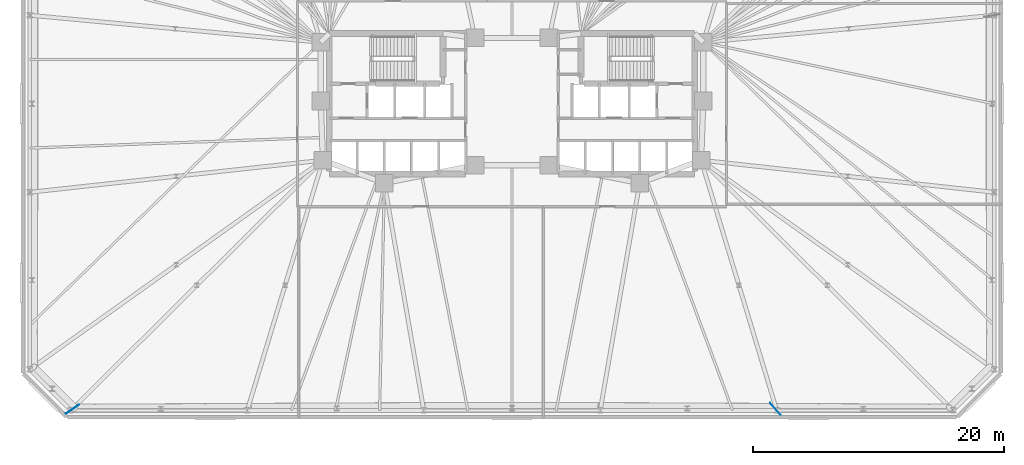
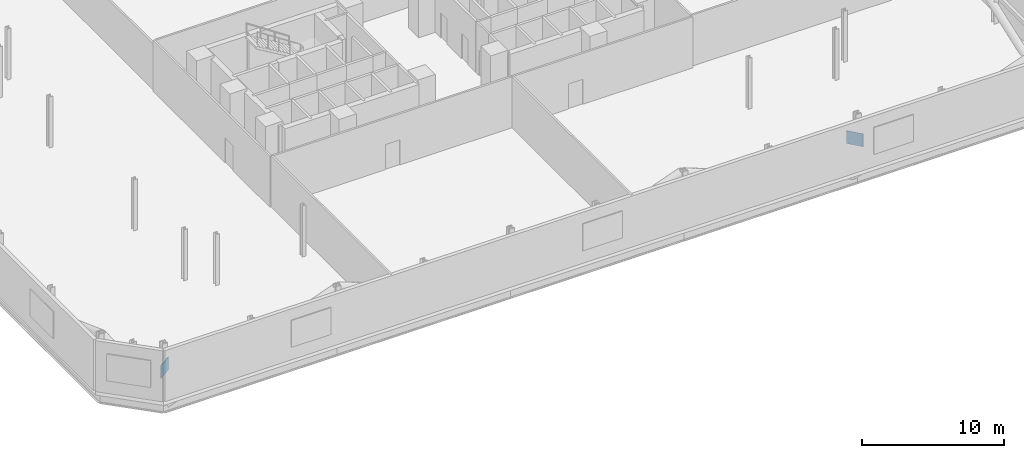
# One storey, part 12 of 17: 2 plates.
"""IFC4 building model written with IfcOpenShell, lengths in metres."""

from ifc_helpers import new_model, si_unit, direction, frame, origin, origin_2d, place, context, subcontext, project, spatial, rectangle, extrude, material, layer, layer_set, type_object, element, save


model = new_model("IFC4")

# Units and contexts
model_context = context("Model", 3, precision=1e-05, world=origin(), true_north=direction((0.0, 1.0)))
body_context = subcontext(model_context, "Body", "Model", "MODEL_VIEW")
ifc_project = project(units=[si_unit("LENGTHUNIT", "METRE"), si_unit("AREAUNIT", "SQUARE_METRE"), si_unit("VOLUMEUNIT", "CUBIC_METRE"), si_unit("PLANEANGLEUNIT", "RADIAN"), si_unit("MASSUNIT", "GRAM", prefix="KILO")], contexts=[model_context])

# Site, building, storey
site_placement = place(None, origin())
site = spatial("IfcSite", under=ifc_project, at=site_placement, CompositionType="ELEMENT")
building_placement = place(site_placement, origin())
building = spatial("IfcBuilding", under=site, at=building_placement, Name="Menara Jurai Vektor", CompositionType="ELEMENT")
storey_placement = place(building_placement, frame((0.0, 0.0, 9.60009765625)))
storey = spatial("IfcBuildingStorey", under=building, at=storey_placement, Name="L01", CompositionType="ELEMENT", Elevation=9.60009765625)

# Plates
ifc_material = material(Name="Steel S460", Category="steel")
ifc_layer = layer(ifc_material, 0.0400390625)
ifc_layer_set = layer_set([ifc_layer], Name="Steel S460")
plate_type = type_object("IfcPlateType", Name="STR-PLT-GUSSET40", PredefinedType="SHEET", material=ifc_layer_set)
for number, where, z_axis, x_axis, name in (
    (1, (-35.0380859375, -24.35302734375, 1.749755859375), (0.0, 0.0, 1.0), (0.821248804935, 0.570570241419, 0.0), "Transfer Truss Gusset Plate L01-01"),
    (2, (20.99560546875, -24.3212890625, 1.749755859375), (0.0, 0.0, 1.0), (-0.65342060399, 0.756995055652, 0.0), "Transfer Truss Gusset Plate L01-05"),
):
    element("IfcPlate", number, at=place(storey_placement, frame(where, z_axis=z_axis, x_axis=x_axis)), inside=storey, type_object=plate_type, Name=name, PredefinedType="SHEET", context=body_context, shape_type="SweptSolid", body=[
        extrude(rectangle(XDim=1.25, YDim=0.0400390625, at=origin_2d()), origin(), (0.0, 0.0, 1.0), 1.10009765625),
    ])

save(model, "model.ifc")
